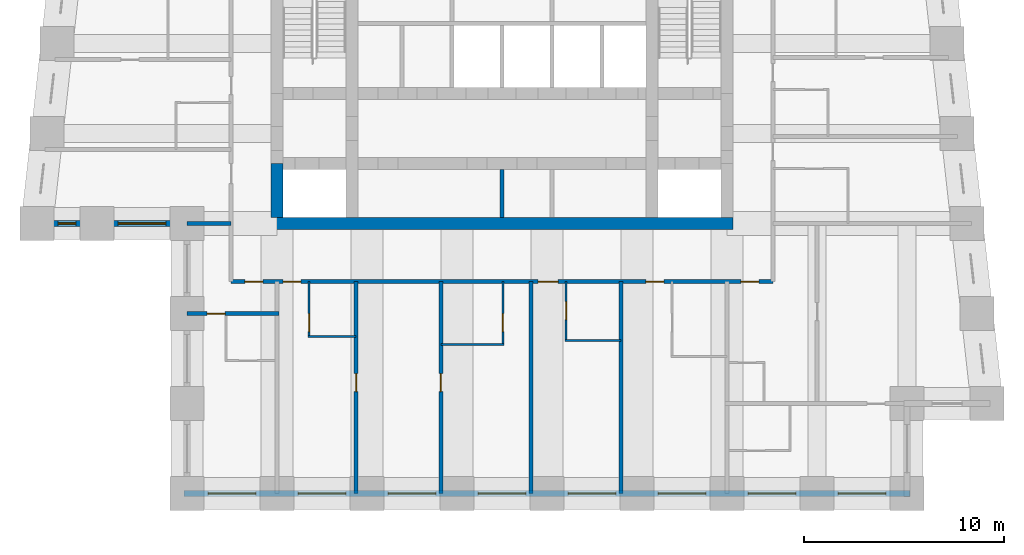
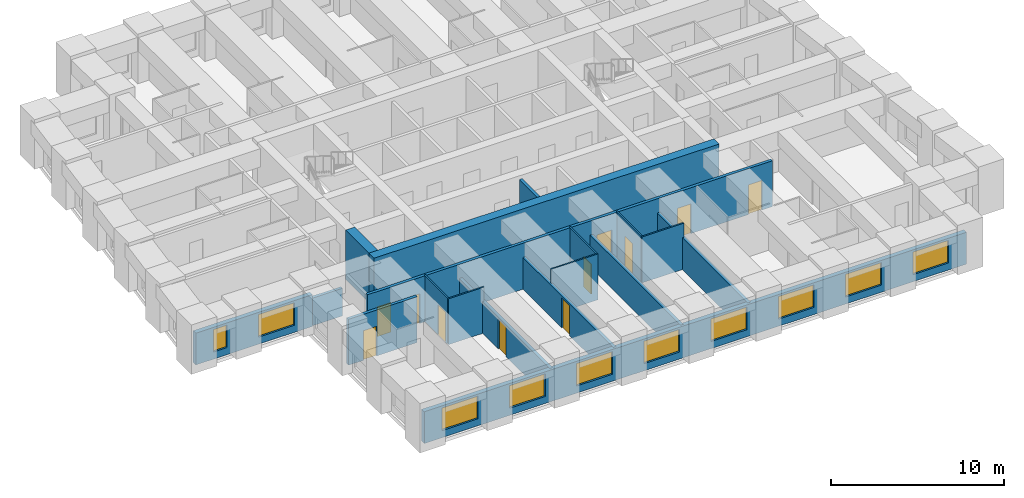
# One storey, part 2 of 8: 18 walls, 11 doors, 10 windows, 21 openings.
"""IFC4 building model written with IfcOpenShell, lengths in metres."""

from ifc_helpers import new_model, si_unit, direction, frame, frame_2d, origin, place, context, subcontext, project, spatial, rectangle, extrude, material, layer, layer_set, type_object, element, fill, save


model = new_model("IFC4")

# Units and contexts
model_context = context("Model", 3, precision=1e-05, world=origin(), true_north=direction((0.0, 1.0)))
body_context = subcontext(model_context, "Body", "Model", "MODEL_VIEW")
ifc_project = project(units=[si_unit("LENGTHUNIT", "METRE"), si_unit("AREAUNIT", "SQUARE_METRE"), si_unit("VOLUMEUNIT", "CUBIC_METRE"), si_unit("PLANEANGLEUNIT", "RADIAN"), si_unit("MASSUNIT", "GRAM", prefix="KILO")], contexts=[model_context])

# Site, building, storey
site_placement = place(None, origin())
site = spatial("IfcSite", under=ifc_project, at=site_placement, CompositionType="ELEMENT")
building_placement = place(site_placement, origin())
building = spatial("IfcBuilding", under=site, at=building_placement, Name="Kilele Tower Hotel", CompositionType="ELEMENT")
storey_placement = place(building_placement, frame((0.0, 0.0, 204.39990234375)))
storey = spatial("IfcBuildingStorey", under=building, at=storey_placement, Name="L53", CompositionType="ELEMENT", Elevation=204.39990234375)

# Wall
ifc_material_1 = material(Name="Moisture-resistant board")
ifc_layer_1 = layer(ifc_material_1, 0.10009765625)
ifc_layer_set_1 = layer_set([ifc_layer_1], Name="Moisture-resistant board")
wall_type_1 = type_object("IfcWallType", Name="Bathroom partition 100", PredefinedType="PLUMBINGWALL", material=ifc_layer_set_1)
wall_1_placement = place(storey_placement, frame((15.050048828125, 7.85009765625, 0.0), z_axis=(0.0, 0.0, 1.0), x_axis=(1.0, 0.0, 0.0)))
element("IfcWall", 1, at=wall_1_placement, inside=storey, type_object=wall_type_1, Name="Bathroom partition 100 L53", PredefinedType="PLUMBINGWALL", context=body_context, shape_type="SweptSolid", body=[
    extrude(rectangle(XDim=2.39990234375, YDim=0.10009765625, at=frame_2d((1.199951171875, 0.0))), origin(), (0.0, 0.0, 1.0), 3.25),
])

# Wall, opening, door
wall_2_placement = place(storey_placement, frame((15.10009765625, 10.60009765625, 0.0), z_axis=(0.0, 0.0, 1.0), x_axis=(0.0, -1.0, 0.0)))
wall_2 = element("IfcWall", 2, at=wall_2_placement, inside=storey, type_object=wall_type_1, Name="Bathroom partition 100 L53", PredefinedType="PLUMBINGWALL", context=body_context, shape_type="SweptSolid", body=[
    extrude(rectangle(XDim=2.800048828125, YDim=0.10009765625, at=frame_2d((1.39990234375, 0.0))), origin(), (0.0, 0.0, 1.0), 3.25),
])
opening_1_placement = place(wall_2_placement, frame((2.5, 0.0, 0.0), z_axis=(0.0, 0.0, 1.0), x_axis=(-1.0, 0.0, 0.0)))
opening_1 = element("IfcOpeningElement", 3, at=opening_1_placement, cuts=wall_2, Name="Opening D2A", PredefinedType="OPENING", context=body_context, shape_type="SweptSolid", body=[
    extrude(rectangle(XDim=0.89990234375, YDim=2.10009765625, at=frame_2d((0.449951171875, 1.050048828125))), frame((0.0, 0.06005859375, 0.0), z_axis=(0.0, -1.0, 0.0), x_axis=(1.0, 0.0, 0.0)), (0.0, 0.0, 1.0), 0.1201171875),
])
ifc_material_2 = material(Name="Timber door leaf in hardwood frame", Category="wood")
door_type_1 = type_object("IfcDoorType", Name="Bathroom door 900", OperationType="SINGLE_SWING_LEFT", PredefinedType="DOOR", material=ifc_material_2)
door_1_placement = place(opening_1_placement, origin())
door_1 = element("IfcDoor", 4, at=door_1_placement, inside=storey, type_object=door_type_1, Name="Bathroom door 5301B", OperationType="SINGLE_SWING_LEFT", OverallHeight=2.10009765625, OverallWidth=0.89990234375, PredefinedType="DOOR", context=body_context, shape_type="SweptSolid", body=[
    extrude(rectangle(XDim=0.89990234375, YDim=2.10009765625, at=frame_2d((0.449951171875, 1.050048828125))), frame((0.0, 0.02490234375, 0.0), z_axis=(0.0, -1.0, 0.0), x_axis=(1.0, 0.0, 0.0)), (0.0, 0.0, 1.0), 0.050048828125),
])
fill(opening_1, door_1)

# Wall
wall_3_placement = place(storey_placement, frame((21.699951171875, 7.449951171875, 0.0), z_axis=(0.0, 0.0, 1.0), x_axis=(1.0, 0.0, 0.0)))
element("IfcWall", 5, at=wall_3_placement, inside=storey, type_object=wall_type_1, Name="Bathroom partition 100 L53", PredefinedType="PLUMBINGWALL", context=body_context, shape_type="SweptSolid", body=[
    extrude(rectangle(XDim=3.150146484375, YDim=0.10009765625, at=frame_2d((1.5751953125, 0.0))), origin(), (0.0, 0.0, 1.0), 3.25),
])

# Wall, opening, door
wall_4_placement = place(storey_placement, frame((24.800048828125, 10.60009765625, 0.0), z_axis=(0.0, 0.0, 1.0), x_axis=(0.0, -1.0, 0.0)))
wall_4 = element("IfcWall", 6, at=wall_4_placement, inside=storey, type_object=wall_type_1, Name="Bathroom partition 100 L53", PredefinedType="PLUMBINGWALL", context=body_context, shape_type="SweptSolid", body=[
    extrude(rectangle(XDim=3.2001953125, YDim=0.10009765625, at=frame_2d((1.60009765625, 0.0))), origin(), (0.0, 0.0, 1.0), 3.25),
])
opening_2_placement = place(wall_4_placement, frame((1.60009765625, 0.0, 0.0)))
opening_2 = element("IfcOpeningElement", 7, at=opening_2_placement, cuts=wall_4, Name="Opening D2A", PredefinedType="OPENING", context=body_context, shape_type="SweptSolid", body=[
    extrude(rectangle(XDim=0.89990234375, YDim=2.10009765625, at=frame_2d((0.449951171875, 1.050048828125))), frame((0.0, 0.06005859375, 0.0), z_axis=(0.0, -1.0, 0.0), x_axis=(1.0, 0.0, 0.0)), (0.0, 0.0, 1.0), 0.1201171875),
])
door_2_placement = place(opening_2_placement, origin())
door_2 = element("IfcDoor", 8, at=door_2_placement, inside=storey, type_object=door_type_1, Name="Bathroom door 5303B", OperationType="SINGLE_SWING_RIGHT", OverallHeight=2.10009765625, OverallWidth=0.89990234375, PredefinedType="DOOR", context=body_context, shape_type="SweptSolid", body=[
    extrude(rectangle(XDim=0.89990234375, YDim=2.10009765625, at=frame_2d((0.449951171875, 1.050048828125))), frame((0.0, 0.02490234375, 0.0), z_axis=(0.0, -1.0, 0.0), x_axis=(1.0, 0.0, 0.0)), (0.0, 0.0, 1.0), 0.050048828125),
])
fill(opening_2, door_2)

# Wall
wall_5_placement = place(storey_placement, frame((27.89990234375, 7.64990234375, 0.0), z_axis=(0.0, 0.0, 1.0), x_axis=(1.0, 0.0, 0.0)))
element("IfcWall", 9, at=wall_5_placement, inside=storey, type_object=wall_type_1, Name="Bathroom partition 100 L53", PredefinedType="PLUMBINGWALL", context=body_context, shape_type="SweptSolid", body=[
    extrude(rectangle(XDim=2.800048828125, YDim=0.10009765625, at=frame_2d((1.39990234375, 0.0))), origin(), (0.0, 0.0, 1.0), 3.25),
])

# Wall, opening, door
wall_6_placement = place(storey_placement, frame((27.949951171875, 10.60009765625, 0.0), z_axis=(0.0, 0.0, 1.0), x_axis=(0.0, -1.0, 0.0)))
wall_6 = element("IfcWall", 10, at=wall_6_placement, inside=storey, type_object=wall_type_1, Name="Bathroom partition 100 L53", PredefinedType="PLUMBINGWALL", context=body_context, shape_type="SweptSolid", body=[
    extrude(rectangle(XDim=3.0, YDim=0.10009765625, at=frame_2d((1.5, 0.0))), origin(), (0.0, 0.0, 1.0), 3.25),
])
opening_3_placement = place(wall_6_placement, frame((1.89990234375, 0.0, 0.0), z_axis=(0.0, 0.0, 1.0), x_axis=(-1.0, 0.0, 0.0)))
opening_3 = element("IfcOpeningElement", 11, at=opening_3_placement, cuts=wall_6, Name="Opening D2A", PredefinedType="OPENING", context=body_context, shape_type="SweptSolid", body=[
    extrude(rectangle(XDim=0.89990234375, YDim=2.10009765625, at=frame_2d((0.449951171875, 1.050048828125))), frame((0.0, 0.06005859375, 0.0), z_axis=(0.0, -1.0, 0.0), x_axis=(1.0, 0.0, 0.0)), (0.0, 0.0, 1.0), 0.1201171875),
])
door_3_placement = place(opening_3_placement, origin())
door_3 = element("IfcDoor", 12, at=door_3_placement, inside=storey, type_object=door_type_1, Name="Bathroom door 5304B", OperationType="SINGLE_SWING_RIGHT", OverallHeight=2.10009765625, OverallWidth=0.89990234375, PredefinedType="DOOR", context=body_context, shape_type="SweptSolid", body=[
    extrude(rectangle(XDim=0.89990234375, YDim=2.10009765625, at=frame_2d((0.449951171875, 1.050048828125))), frame((0.0, 0.02490234375, 0.0), z_axis=(0.0, -1.0, 0.0), x_axis=(1.0, 0.0, 0.0)), (0.0, 0.0, 1.0), 0.050048828125),
])
fill(opening_3, door_3)

# Walls
ifc_material_3 = material(Name="Concrete C70/85", Category="concrete")
ifc_layer_2 = layer(ifc_material_3, 0.60009765625)
ifc_layer_set_2 = layer_set([ifc_layer_2], Name="Concrete C70/85")
wall_type_2 = type_object("IfcWallType", Name="Core wall 600 C70/85", PredefinedType="SHEAR", material=ifc_layer_set_2)
wall_7_placement = place(storey_placement, frame((13.199951171875, 13.5, 0.0), z_axis=(0.0, 0.0, 1.0), x_axis=(1.0, 0.0, 0.0)))
element("IfcWall", 13, at=wall_7_placement, inside=storey, type_object=wall_type_2, Name="Core wall S L53", PredefinedType="SHEAR", context=body_context, shape_type="SweptSolid", body=[
    extrude(rectangle(XDim=23.10009765625, YDim=0.60009765625, at=frame_2d((11.550048828125, 0.0))), origin(), (0.0, 0.0, 1.0), 3.5),
])
wall_8_placement = place(storey_placement, frame((13.5, 16.5, 0.0), z_axis=(0.0, 0.0, 1.0), x_axis=(0.0, -1.0, 0.0)))
element("IfcWall", 14, at=wall_8_placement, inside=storey, type_object=wall_type_2, Name="Core wall W3 L53", PredefinedType="SHEAR", context=body_context, shape_type="SweptSolid", body=[
    extrude(rectangle(XDim=2.699951171875, YDim=0.60009765625, at=frame_2d((1.35009765625, 0.0))), origin(), (0.0, 0.0, 1.0), 3.5),
])

# Wall, openings, doors
ifc_material_4 = material(Name="Blockwork, plastered both sides", Category="masonry")
ifc_layer_3 = layer(ifc_material_4, 0.199951171875)
ifc_layer_set_3 = layer_set([ifc_layer_3], Name="Blockwork, plastered both sides")
wall_type_3 = type_object("IfcWallType", Name="Corridor wall 200", PredefinedType="PARTITIONING", material=ifc_layer_set_3)
wall_9_placement = place(storey_placement, frame((11.199951171875, 10.60009765625, 0.0), z_axis=(0.0, 0.0, 1.0), x_axis=(1.0, 0.0, 0.0)))
wall_9 = element("IfcWall", 15, at=wall_9_placement, inside=storey, type_object=wall_type_3, Name="Corridor wall 200 L53", PredefinedType="PARTITIONING", context=body_context, shape_type="SweptSolid", body=[
    extrude(rectangle(XDim=27.10009765625, YDim=0.199951171875, at=frame_2d((13.550048828125, 0.0))), origin(), (0.0, 0.0, 1.0), 3.25),
])
opening_4_placement = place(wall_9_placement, frame((3.5, 0.0, 0.0), z_axis=(0.0, 0.0, 1.0), x_axis=(-1.0, 0.0, 0.0)))
opening_4 = element("IfcOpeningElement", 16, at=opening_4_placement, cuts=wall_9, Name="Opening D1", PredefinedType="OPENING", context=body_context, shape_type="SweptSolid", body=[
    extrude(rectangle(XDim=0.89990234375, YDim=2.10009765625, at=frame_2d((0.449951171875, 1.050048828125))), frame((0.0, 0.10986328125, 0.0), z_axis=(0.0, -1.0, 0.0), x_axis=(1.0, 0.0, 0.0)), (0.0, 0.0, 1.0), 0.219970703125),
])
opening_5_placement = place(wall_9_placement, frame((16.35009765625, 0.0, 0.0), z_axis=(0.0, 0.0, 1.0), x_axis=(-1.0, 0.0, 0.0)))
opening_5 = element("IfcOpeningElement", 17, at=opening_5_placement, cuts=wall_9, Name="Opening D1A", PredefinedType="OPENING", context=body_context, shape_type="SweptSolid", body=[
    extrude(rectangle(XDim=1.0, YDim=2.10009765625, at=frame_2d((0.5, 1.050048828125))), frame((0.0, 0.10986328125, 0.0), z_axis=(0.0, -1.0, 0.0), x_axis=(1.0, 0.0, 0.0)), (0.0, 0.0, 1.0), 0.219970703125),
])
opening_6_placement = place(wall_9_placement, frame((21.64990234375, 0.0, 0.0), z_axis=(0.0, 0.0, 1.0), x_axis=(-1.0, 0.0, 0.0)))
opening_6 = element("IfcOpeningElement", 18, at=opening_6_placement, cuts=wall_9, Name="Opening D1", PredefinedType="OPENING", context=body_context, shape_type="SweptSolid", body=[
    extrude(rectangle(XDim=0.89990234375, YDim=2.10009765625, at=frame_2d((0.449951171875, 1.050048828125))), frame((0.0, 0.10986328125, 0.0), z_axis=(0.0, -1.0, 0.0), x_axis=(1.0, 0.0, 0.0)), (0.0, 0.0, 1.0), 0.219970703125),
])
opening_7_placement = place(wall_9_placement, frame((1.599853515625, 0.0, 0.0), z_axis=(0.0, 0.0, 1.0), x_axis=(-1.0, 0.0, 0.0)))
opening_7 = element("IfcOpeningElement", 19, at=opening_7_placement, cuts=wall_9, Name="Opening D1", PredefinedType="OPENING", context=body_context, shape_type="SweptSolid", body=[
    extrude(rectangle(XDim=0.89990234375, YDim=2.10009765625, at=frame_2d((0.449951171875, 1.050048828125))), frame((0.0, 0.10986328125, 0.0), z_axis=(0.0, -1.0, 0.0), x_axis=(1.0, 0.0, 0.0)), (0.0, 0.0, 1.0), 0.219970703125),
])
opening_8_placement = place(wall_9_placement, frame((26.39990234375, 0.0, 0.0), z_axis=(0.0, 0.0, 1.0), x_axis=(-1.0, 0.0, 0.0)))
opening_8 = element("IfcOpeningElement", 20, at=opening_8_placement, cuts=wall_9, Name="Opening D1", PredefinedType="OPENING", context=body_context, shape_type="SweptSolid", body=[
    extrude(rectangle(XDim=0.89990234375, YDim=2.10009765625, at=frame_2d((0.449951171875, 1.050048828125))), frame((0.0, 0.10986328125, 0.0), z_axis=(0.0, -1.0, 0.0), x_axis=(1.0, 0.0, 0.0)), (0.0, 0.0, 1.0), 0.219970703125),
])
ifc_material_5 = material(Name="Timber door leaf in hardwood frame", Category="wood")
door_type_2 = type_object("IfcDoorType", Name="Guest room entrance door 1000", OperationType="SINGLE_SWING_LEFT", PredefinedType="DOOR", material=ifc_material_5)
door_4_placement = place(opening_5_placement, origin())
door_4 = element("IfcDoor", 21, at=door_4_placement, inside=storey, type_object=door_type_2, Name="Room entrance 5304", OperationType="SINGLE_SWING_LEFT", OverallHeight=2.10009765625, OverallWidth=1.0, PredefinedType="DOOR", context=body_context, shape_type="SweptSolid", body=[
    extrude(rectangle(XDim=1.0, YDim=2.10009765625, at=frame_2d((0.5, 1.050048828125))), frame((0.0, 0.02490234375, 0.0), z_axis=(0.0, -1.0, 0.0), x_axis=(1.0, 0.0, 0.0)), (0.0, 0.0, 1.0), 0.050048828125),
])
fill(opening_5, door_4)
ifc_material_6 = material(Name="Timber door leaf in hardwood frame", Category="wood")
door_type_3 = type_object("IfcDoorType", Name="Guest room entrance door 900", OperationType="SINGLE_SWING_LEFT", PredefinedType="DOOR", material=ifc_material_6)
door_5_placement = place(opening_4_placement, origin())
door_5 = element("IfcDoor", 22, at=door_5_placement, inside=storey, type_object=door_type_3, Name="Room entrance 5301", OperationType="SINGLE_SWING_RIGHT", OverallHeight=2.10009765625, OverallWidth=0.89990234375, PredefinedType="DOOR", context=body_context, shape_type="SweptSolid", body=[
    extrude(rectangle(XDim=0.89990234375, YDim=2.10009765625, at=frame_2d((0.449951171875, 1.050048828125))), frame((0.0, 0.02490234375, 0.0), z_axis=(0.0, -1.0, 0.0), x_axis=(1.0, 0.0, 0.0)), (0.0, 0.0, 1.0), 0.050048828125),
])
fill(opening_4, door_5)
door_6_placement = place(opening_6_placement, origin())
door_6 = element("IfcDoor", 23, at=door_6_placement, inside=storey, type_object=door_type_3, Name="Room entrance 5305", OperationType="SINGLE_SWING_LEFT", OverallHeight=2.10009765625, OverallWidth=0.89990234375, PredefinedType="DOOR", context=body_context, shape_type="SweptSolid", body=[
    extrude(rectangle(XDim=0.89990234375, YDim=2.10009765625, at=frame_2d((0.449951171875, 1.050048828125))), frame((0.0, 0.02490234375, 0.0), z_axis=(0.0, -1.0, 0.0), x_axis=(1.0, 0.0, 0.0)), (0.0, 0.0, 1.0), 0.050048828125),
])
fill(opening_6, door_6)
door_7_placement = place(opening_7_placement, origin())
door_7 = element("IfcDoor", 24, at=door_7_placement, inside=storey, type_object=door_type_3, Name="Room entrance 5317", OperationType="SINGLE_SWING_LEFT", OverallHeight=2.10009765625, OverallWidth=0.89990234375, PredefinedType="DOOR", context=body_context, shape_type="SweptSolid", body=[
    extrude(rectangle(XDim=0.89990234375, YDim=2.10009765625, at=frame_2d((0.449951171875, 1.050048828125))), frame((0.0, 0.02490234375, 0.0), z_axis=(0.0, -1.0, 0.0), x_axis=(1.0, 0.0, 0.0)), (0.0, 0.0, 1.0), 0.050048828125),
])
fill(opening_7, door_7)
door_8_placement = place(opening_8_placement, origin())
door_8 = element("IfcDoor", 25, at=door_8_placement, inside=storey, type_object=door_type_3, Name="Room entrance 5319", OperationType="SINGLE_SWING_RIGHT", OverallHeight=2.10009765625, OverallWidth=0.89990234375, PredefinedType="DOOR", context=body_context, shape_type="SweptSolid", body=[
    extrude(rectangle(XDim=0.89990234375, YDim=2.10009765625, at=frame_2d((0.449951171875, 1.050048828125))), frame((0.0, 0.02490234375, 0.0), z_axis=(0.0, -1.0, 0.0), x_axis=(1.0, 0.0, 0.0)), (0.0, 0.0, 1.0), 0.050048828125),
])
fill(opening_8, door_8)

# Wall, opening, door
ifc_material_7 = material(Name="Blockwork, plastered both sides", Category="masonry")
ifc_layer_4 = layer(ifc_material_7, 0.199951171875)
ifc_layer_set_4 = layer_set([ifc_layer_4], Name="Blockwork, plastered both sides")
wall_type_4 = type_object("IfcWallType", Name="Party wall 200", PredefinedType="PARTITIONING", material=ifc_layer_set_4)
wall_10_placement = place(storey_placement, frame((17.449951171875, 10.60009765625, 0.0), z_axis=(0.0, 0.0, 1.0), x_axis=(0.0, -1.0, 0.0)))
wall_10 = element("IfcWall", 26, at=wall_10_placement, inside=storey, type_object=wall_type_4, Name="Party wall 200 L53", PredefinedType="PARTITIONING", context=body_context, shape_type="SweptSolid", body=[
    extrude(rectangle(XDim=10.60009765625, YDim=0.199951171875, at=frame_2d((5.300048828125, 0.0))), origin(), (0.0, 0.0, 1.0), 2.25),
])
opening_9_placement = place(wall_10_placement, frame((5.5, 0.0, 0.0), z_axis=(0.0, 0.0, 1.0), x_axis=(-1.0, 0.0, 0.0)))
opening_9 = element("IfcOpeningElement", 27, at=opening_9_placement, cuts=wall_10, Name="Opening D3", PredefinedType="OPENING", context=body_context, shape_type="SweptSolid", body=[
    extrude(rectangle(XDim=0.89990234375, YDim=2.10009765625, at=frame_2d((0.449951171875, 1.050048828125))), frame((0.0, 0.10986328125, 0.0), z_axis=(0.0, -1.0, 0.0), x_axis=(1.0, 0.0, 0.0)), (0.0, 0.0, 1.0), 0.219970703125),
])
ifc_material_8 = material(Name="Timber door leaf in hardwood frame", Category="wood")
door_type_4 = type_object("IfcDoorType", Name="Suite internal door 900", OperationType="SINGLE_SWING_LEFT", PredefinedType="DOOR", material=ifc_material_8)
door_9_placement = place(opening_9_placement, origin())
door_9 = element("IfcDoor", 28, at=door_9_placement, inside=storey, type_object=door_type_4, Name="Suite door 5302", OperationType="SINGLE_SWING_RIGHT", OverallHeight=2.10009765625, OverallWidth=0.89990234375, PredefinedType="DOOR", context=body_context, shape_type="SweptSolid", body=[
    extrude(rectangle(XDim=0.89990234375, YDim=2.10009765625, at=frame_2d((0.449951171875, 1.050048828125))), frame((0.0, 0.02490234375, 0.0), z_axis=(0.0, -1.0, 0.0), x_axis=(1.0, 0.0, 0.0)), (0.0, 0.0, 1.0), 0.050048828125),
])
fill(opening_9, door_9)

wall_11_placement = place(storey_placement, frame((21.699951171875, 10.60009765625, 0.0), z_axis=(0.0, 0.0, 1.0), x_axis=(0.0, -1.0, 0.0)))
wall_11 = element("IfcWall", 29, at=wall_11_placement, inside=storey, type_object=wall_type_4, Name="Party wall 200 L53", PredefinedType="PARTITIONING", context=body_context, shape_type="SweptSolid", body=[
    extrude(rectangle(XDim=10.60009765625, YDim=0.199951171875, at=frame_2d((5.300048828125, 0.0))), origin(), (0.0, 0.0, 1.0), 2.25),
])
opening_10_placement = place(wall_11_placement, frame((4.60009765625, 0.0, 0.0)))
opening_10 = element("IfcOpeningElement", 30, at=opening_10_placement, cuts=wall_11, Name="Opening D3", PredefinedType="OPENING", context=body_context, shape_type="SweptSolid", body=[
    extrude(rectangle(XDim=0.89990234375, YDim=2.10009765625, at=frame_2d((0.449951171875, 1.050048828125))), frame((0.0, 0.10986328125, 0.0), z_axis=(0.0, -1.0, 0.0), x_axis=(1.0, 0.0, 0.0)), (0.0, 0.0, 1.0), 0.219970703125),
])
door_10_placement = place(opening_10_placement, origin())
door_10 = element("IfcDoor", 31, at=door_10_placement, inside=storey, type_object=door_type_4, Name="Suite door 5303", OperationType="SINGLE_SWING_LEFT", OverallHeight=2.10009765625, OverallWidth=0.89990234375, PredefinedType="DOOR", context=body_context, shape_type="SweptSolid", body=[
    extrude(rectangle(XDim=0.89990234375, YDim=2.10009765625, at=frame_2d((0.449951171875, 1.050048828125))), frame((0.0, 0.02490234375, 0.0), z_axis=(0.0, -1.0, 0.0), x_axis=(1.0, 0.0, 0.0)), (0.0, 0.0, 1.0), 0.050048828125),
])
fill(opening_10, door_10)

# Walls
for number, where, z_axis, x_axis, name in (
    (32, (26.199951171875, 10.60009765625, 0.0), (0.0, 0.0, 1.0), (0.0, -1.0, 0.0), "Party wall 200 L53"),
    (33, (30.699951171875, 10.60009765625, 0.0), (0.0, 0.0, 1.0), (0.0, -1.0, 0.0), "Party wall 200 L53"),
):
    element("IfcWall", number, at=place(storey_placement, frame(where, z_axis=z_axis, x_axis=x_axis)), inside=storey, type_object=wall_type_4, Name=name, PredefinedType="PARTITIONING", context=body_context, shape_type="SweptSolid", body=[
        extrude(rectangle(XDim=10.60009765625, YDim=0.199951171875, at=frame_2d((5.300048828125, 0.0))), origin(), (0.0, 0.0, 1.0), 2.25),
    ])
wall_12_placement = place(storey_placement, frame((11.199951171875, 13.5, 0.0), z_axis=(0.0, 0.0, 1.0), x_axis=(-1.0, 0.0, 0.0)))
element("IfcWall", 34, at=wall_12_placement, inside=storey, type_object=wall_type_4, Name="Party wall 200 L53", PredefinedType="PARTITIONING", context=body_context, shape_type="SweptSolid", body=[
    extrude(rectangle(XDim=2.199951171875, YDim=0.199951171875, at=frame_2d((1.10009765625, 0.0))), origin(), (0.0, 0.0, 1.0), 1.9501953125),
])

# Wall, opening, door
wall_13_placement = place(storey_placement, frame((13.60009765625, 9.0, 0.0), z_axis=(0.0, 0.0, 1.0), x_axis=(-1.0, 0.0, 0.0)))
wall_13 = element("IfcWall", 35, at=wall_13_placement, inside=storey, type_object=wall_type_4, Name="Party wall 200 L53", PredefinedType="PARTITIONING", context=body_context, shape_type="SweptSolid", body=[
    extrude(rectangle(XDim=4.60009765625, YDim=0.199951171875, at=frame_2d((2.300048828125, 0.0))), origin(), (0.0, 0.0, 1.0), 3.25),
])
opening_11_placement = place(wall_13_placement, frame((2.699951171875, 0.0, 0.0)))
opening_11 = element("IfcOpeningElement", 36, at=opening_11_placement, cuts=wall_13, Name="Opening D3", PredefinedType="OPENING", context=body_context, shape_type="SweptSolid", body=[
    extrude(rectangle(XDim=0.89990234375, YDim=2.10009765625, at=frame_2d((0.449951171875, 1.050048828125))), frame((0.0, 0.10986328125, 0.0), z_axis=(0.0, -1.0, 0.0), x_axis=(1.0, 0.0, 0.0)), (0.0, 0.0, 1.0), 0.219970703125),
])
door_11_placement = place(opening_11_placement, origin())
door_11 = element("IfcDoor", 37, at=door_11_placement, inside=storey, type_object=door_type_4, Name="Suite door 5318", OperationType="SINGLE_SWING_LEFT", OverallHeight=2.10009765625, OverallWidth=0.89990234375, PredefinedType="DOOR", context=body_context, shape_type="SweptSolid", body=[
    extrude(rectangle(XDim=0.89990234375, YDim=2.10009765625, at=frame_2d((0.449951171875, 1.050048828125))), frame((0.0, 0.02490234375, 0.0), z_axis=(0.0, -1.0, 0.0), x_axis=(1.0, 0.0, 0.0)), (0.0, 0.0, 1.0), 0.050048828125),
])
fill(opening_11, door_11)

# Wall, openings, windows
ifc_material_9 = material(Name="Concrete C40/50 precast", Category="concrete")
ifc_layer_5 = layer(ifc_material_9, 0.260009765625, Name="Precast backing", Category="LoadBearing")
ifc_material_10 = material(Name="Reconstituted stone finish", Category="masonry")
ifc_layer_6 = layer(ifc_material_10, 0.0400390625, Name="Face mix", Category="Finish")
ifc_layer_set_5 = layer_set([ifc_layer_5, ifc_layer_6], Name="Precast concrete C40/50, reconstituted stone finish")
wall_type_5 = type_object("IfcWallType", Name="Precast stone facade wall 300", PredefinedType="STANDARD", material=ifc_layer_set_5)
wall_14_placement = place(storey_placement, frame((1.35009765625, 13.5, 0.0), z_axis=(0.0, 0.0, 1.0), x_axis=(1.0, 0.0, 0.0)))
wall_14 = element("IfcWall", 38, at=wall_14_placement, inside=storey, type_object=wall_type_5, Name="Facade wall L53 edge 1", PredefinedType="STANDARD", context=body_context, shape_type="SweptSolid", body=[
    extrude(rectangle(XDim=7.7998046875, YDim=0.300048828125, at=frame_2d((3.89990234375, 0.0))), origin(), (0.0, 0.0, 1.0), 2.25),
])
opening_12_placement = place(wall_14_placement, frame((1.199951171875, 0.0, 0.5)))
opening_12 = element("IfcOpeningElement", 39, at=opening_12_placement, cuts=wall_14, Name="Opening W3", PredefinedType="OPENING", context=body_context, shape_type="SweptSolid", body=[
    extrude(rectangle(XDim=0.89990234375, YDim=1.60009765625, at=frame_2d((0.449951171875, 0.800048828125))), frame((0.0, 0.159912109375, 0.0), z_axis=(0.0, -1.0, 0.0), x_axis=(1.0, 0.0, 0.0)), (0.0, 0.0, 1.0), 0.320068359375),
])
opening_13_placement = place(wall_14_placement, frame((4.199951171875, 0.0, 0.5)))
opening_13 = element("IfcOpeningElement", 40, at=opening_13_placement, cuts=wall_14, Name="Opening W3", PredefinedType="OPENING", context=body_context, shape_type="SweptSolid", body=[
    extrude(rectangle(XDim=2.39990234375, YDim=1.60009765625, at=frame_2d((1.199951171875, 0.800048828125))), frame((0.0, 0.159912109375, 0.0), z_axis=(0.0, -1.0, 0.0), x_axis=(1.0, 0.0, 0.0)), (0.0, 0.0, 1.0), 0.320068359375),
])
ifc_material_11 = material(Name="Aluminium frame, clear double glazing", Category="aluminium")
window_type_1 = type_object("IfcWindowType", Name="Window W3 2400 x 1600", PartitioningType="SINGLE_PANEL", PredefinedType="WINDOW", material=ifc_material_11)
window_1_placement = place(opening_13_placement, origin())
window_1 = element("IfcWindow", 41, at=window_1_placement, inside=storey, type_object=window_type_1, Name="Window L53", OverallHeight=1.60009765625, OverallWidth=2.39990234375, PartitioningType="SINGLE_PANEL", PredefinedType="WINDOW", context=body_context, shape_type="SweptSolid", body=[
    extrude(rectangle(XDim=2.39990234375, YDim=1.60009765625, at=frame_2d((1.199951171875, 0.800048828125))), frame((0.0, 0.030029296875, 0.0), z_axis=(0.0, -1.0, 0.0), x_axis=(1.0, 0.0, 0.0)), (0.0, 0.0, 1.0), 0.06005859375),
])
fill(opening_13, window_1)
ifc_material_12 = material(Name="Aluminium frame, clear double glazing", Category="aluminium")
window_type_2 = type_object("IfcWindowType", Name="Window W3 900 x 1600", PartitioningType="SINGLE_PANEL", PredefinedType="WINDOW", material=ifc_material_12)
window_2_placement = place(opening_12_placement, origin())
window_2 = element("IfcWindow", 42, at=window_2_placement, inside=storey, type_object=window_type_2, Name="Window L53", OverallHeight=1.60009765625, OverallWidth=0.89990234375, PartitioningType="SINGLE_PANEL", PredefinedType="WINDOW", context=body_context, shape_type="SweptSolid", body=[
    extrude(rectangle(XDim=0.89990234375, YDim=1.60009765625, at=frame_2d((0.449951171875, 0.800048828125))), frame((0.0, 0.030029296875, 0.0), z_axis=(0.0, -1.0, 0.0), x_axis=(1.0, 0.0, 0.0)), (0.0, 0.0, 1.0), 0.06005859375),
])
fill(opening_12, window_2)

wall_15_placement = place(storey_placement, frame((8.85009765625, 0.0, 0.0), z_axis=(0.0, 0.0, 1.0), x_axis=(1.0, 0.0, 0.0)))
wall_15 = element("IfcWall", 43, at=wall_15_placement, inside=storey, type_object=wall_type_5, Name="Facade wall L53 edge 3", PredefinedType="STANDARD", context=body_context, shape_type="SweptSolid", body=[
    extrude(rectangle(XDim=36.2998046875, YDim=0.300048828125, at=frame_2d((18.14990234375, 0.0))), origin(), (0.0, 0.0, 1.0), 2.25),
])
opening_14_placement = place(wall_15_placement, frame((1.199951171875, 0.0, 0.5)))
opening_14 = element("IfcOpeningElement", 44, at=opening_14_placement, cuts=wall_15, Name="Opening W3", PredefinedType="OPENING", context=body_context, shape_type="SweptSolid", body=[
    extrude(rectangle(XDim=2.39990234375, YDim=1.60009765625, at=frame_2d((1.199951171875, 0.800048828125))), frame((0.0, 0.159912109375, 0.0), z_axis=(0.0, -1.0, 0.0), x_axis=(1.0, 0.0, 0.0)), (0.0, 0.0, 1.0), 0.320068359375),
])
opening_15_placement = place(wall_15_placement, frame((5.699951171875, 0.0, 0.5)))
opening_15 = element("IfcOpeningElement", 45, at=opening_15_placement, cuts=wall_15, Name="Opening W3", PredefinedType="OPENING", context=body_context, shape_type="SweptSolid", body=[
    extrude(rectangle(XDim=2.39990234375, YDim=1.60009765625, at=frame_2d((1.199951171875, 0.800048828125))), frame((0.0, 0.159912109375, 0.0), z_axis=(0.0, -1.0, 0.0), x_axis=(1.0, 0.0, 0.0)), (0.0, 0.0, 1.0), 0.320068359375),
])
opening_16_placement = place(wall_15_placement, frame((10.199951171875, 0.0, 0.5)))
opening_16 = element("IfcOpeningElement", 46, at=opening_16_placement, cuts=wall_15, Name="Opening W3", PredefinedType="OPENING", context=body_context, shape_type="SweptSolid", body=[
    extrude(rectangle(XDim=2.39990234375, YDim=1.60009765625, at=frame_2d((1.199951171875, 0.800048828125))), frame((0.0, 0.159912109375, 0.0), z_axis=(0.0, -1.0, 0.0), x_axis=(1.0, 0.0, 0.0)), (0.0, 0.0, 1.0), 0.320068359375),
])
opening_17_placement = place(wall_15_placement, frame((14.699951171875, 0.0, 0.5)))
opening_17 = element("IfcOpeningElement", 47, at=opening_17_placement, cuts=wall_15, Name="Opening W3", PredefinedType="OPENING", context=body_context, shape_type="SweptSolid", body=[
    extrude(rectangle(XDim=2.39990234375, YDim=1.60009765625, at=frame_2d((1.199951171875, 0.800048828125))), frame((0.0, 0.159912109375, 0.0), z_axis=(0.0, -1.0, 0.0), x_axis=(1.0, 0.0, 0.0)), (0.0, 0.0, 1.0), 0.320068359375),
])
opening_18_placement = place(wall_15_placement, frame((19.199951171875, 0.0, 0.5)))
opening_18 = element("IfcOpeningElement", 48, at=opening_18_placement, cuts=wall_15, Name="Opening W3", PredefinedType="OPENING", context=body_context, shape_type="SweptSolid", body=[
    extrude(rectangle(XDim=2.39990234375, YDim=1.60009765625, at=frame_2d((1.199951171875, 0.800048828125))), frame((0.0, 0.159912109375, 0.0), z_axis=(0.0, -1.0, 0.0), x_axis=(1.0, 0.0, 0.0)), (0.0, 0.0, 1.0), 0.320068359375),
])
opening_19_placement = place(wall_15_placement, frame((23.699951171875, 0.0, 0.5)))
opening_19 = element("IfcOpeningElement", 49, at=opening_19_placement, cuts=wall_15, Name="Opening W3", PredefinedType="OPENING", context=body_context, shape_type="SweptSolid", body=[
    extrude(rectangle(XDim=2.39990234375, YDim=1.60009765625, at=frame_2d((1.199951171875, 0.800048828125))), frame((0.0, 0.159912109375, 0.0), z_axis=(0.0, -1.0, 0.0), x_axis=(1.0, 0.0, 0.0)), (0.0, 0.0, 1.0), 0.320068359375),
])
opening_20_placement = place(wall_15_placement, frame((28.199951171875, 0.0, 0.5)))
opening_20 = element("IfcOpeningElement", 50, at=opening_20_placement, cuts=wall_15, Name="Opening W3", PredefinedType="OPENING", context=body_context, shape_type="SweptSolid", body=[
    extrude(rectangle(XDim=2.39990234375, YDim=1.60009765625, at=frame_2d((1.199951171875, 0.800048828125))), frame((0.0, 0.159912109375, 0.0), z_axis=(0.0, -1.0, 0.0), x_axis=(1.0, 0.0, 0.0)), (0.0, 0.0, 1.0), 0.320068359375),
])
opening_21_placement = place(wall_15_placement, frame((32.699951171875, 0.0, 0.5)))
opening_21 = element("IfcOpeningElement", 51, at=opening_21_placement, cuts=wall_15, Name="Opening W3", PredefinedType="OPENING", context=body_context, shape_type="SweptSolid", body=[
    extrude(rectangle(XDim=2.39990234375, YDim=1.60009765625, at=frame_2d((1.199951171875, 0.800048828125))), frame((0.0, 0.159912109375, 0.0), z_axis=(0.0, -1.0, 0.0), x_axis=(1.0, 0.0, 0.0)), (0.0, 0.0, 1.0), 0.320068359375),
])
window_3_placement = place(opening_14_placement, origin())
window_3 = element("IfcWindow", 52, at=window_3_placement, inside=storey, type_object=window_type_1, Name="Window L53", OverallHeight=1.60009765625, OverallWidth=2.39990234375, PartitioningType="SINGLE_PANEL", PredefinedType="WINDOW", context=body_context, shape_type="SweptSolid", body=[
    extrude(rectangle(XDim=2.39990234375, YDim=1.60009765625, at=frame_2d((1.199951171875, 0.800048828125))), frame((0.0, 0.030029296875, 0.0), z_axis=(0.0, -1.0, 0.0), x_axis=(1.0, 0.0, 0.0)), (0.0, 0.0, 1.0), 0.06005859375),
])
fill(opening_14, window_3)
window_4_placement = place(opening_15_placement, origin())
window_4 = element("IfcWindow", 53, at=window_4_placement, inside=storey, type_object=window_type_1, Name="Window L53", OverallHeight=1.60009765625, OverallWidth=2.39990234375, PartitioningType="SINGLE_PANEL", PredefinedType="WINDOW", context=body_context, shape_type="SweptSolid", body=[
    extrude(rectangle(XDim=2.39990234375, YDim=1.60009765625, at=frame_2d((1.199951171875, 0.800048828125))), frame((0.0, 0.030029296875, 0.0), z_axis=(0.0, -1.0, 0.0), x_axis=(1.0, 0.0, 0.0)), (0.0, 0.0, 1.0), 0.06005859375),
])
fill(opening_15, window_4)
window_5_placement = place(opening_16_placement, origin())
window_5 = element("IfcWindow", 54, at=window_5_placement, inside=storey, type_object=window_type_1, Name="Window L53", OverallHeight=1.60009765625, OverallWidth=2.39990234375, PartitioningType="SINGLE_PANEL", PredefinedType="WINDOW", context=body_context, shape_type="SweptSolid", body=[
    extrude(rectangle(XDim=2.39990234375, YDim=1.60009765625, at=frame_2d((1.199951171875, 0.800048828125))), frame((0.0, 0.030029296875, 0.0), z_axis=(0.0, -1.0, 0.0), x_axis=(1.0, 0.0, 0.0)), (0.0, 0.0, 1.0), 0.06005859375),
])
fill(opening_16, window_5)
window_6_placement = place(opening_17_placement, origin())
window_6 = element("IfcWindow", 55, at=window_6_placement, inside=storey, type_object=window_type_1, Name="Window L53", OverallHeight=1.60009765625, OverallWidth=2.39990234375, PartitioningType="SINGLE_PANEL", PredefinedType="WINDOW", context=body_context, shape_type="SweptSolid", body=[
    extrude(rectangle(XDim=2.39990234375, YDim=1.60009765625, at=frame_2d((1.199951171875, 0.800048828125))), frame((0.0, 0.030029296875, 0.0), z_axis=(0.0, -1.0, 0.0), x_axis=(1.0, 0.0, 0.0)), (0.0, 0.0, 1.0), 0.06005859375),
])
fill(opening_17, window_6)
window_7_placement = place(opening_18_placement, origin())
window_7 = element("IfcWindow", 56, at=window_7_placement, inside=storey, type_object=window_type_1, Name="Window L53", OverallHeight=1.60009765625, OverallWidth=2.39990234375, PartitioningType="SINGLE_PANEL", PredefinedType="WINDOW", context=body_context, shape_type="SweptSolid", body=[
    extrude(rectangle(XDim=2.39990234375, YDim=1.60009765625, at=frame_2d((1.199951171875, 0.800048828125))), frame((0.0, 0.030029296875, 0.0), z_axis=(0.0, -1.0, 0.0), x_axis=(1.0, 0.0, 0.0)), (0.0, 0.0, 1.0), 0.06005859375),
])
fill(opening_18, window_7)
window_8_placement = place(opening_19_placement, origin())
window_8 = element("IfcWindow", 57, at=window_8_placement, inside=storey, type_object=window_type_1, Name="Window L53", OverallHeight=1.60009765625, OverallWidth=2.39990234375, PartitioningType="SINGLE_PANEL", PredefinedType="WINDOW", context=body_context, shape_type="SweptSolid", body=[
    extrude(rectangle(XDim=2.39990234375, YDim=1.60009765625, at=frame_2d((1.199951171875, 0.800048828125))), frame((0.0, 0.030029296875, 0.0), z_axis=(0.0, -1.0, 0.0), x_axis=(1.0, 0.0, 0.0)), (0.0, 0.0, 1.0), 0.06005859375),
])
fill(opening_19, window_8)
window_9_placement = place(opening_20_placement, origin())
window_9 = element("IfcWindow", 58, at=window_9_placement, inside=storey, type_object=window_type_1, Name="Window L53", OverallHeight=1.60009765625, OverallWidth=2.39990234375, PartitioningType="SINGLE_PANEL", PredefinedType="WINDOW", context=body_context, shape_type="SweptSolid", body=[
    extrude(rectangle(XDim=2.39990234375, YDim=1.60009765625, at=frame_2d((1.199951171875, 0.800048828125))), frame((0.0, 0.030029296875, 0.0), z_axis=(0.0, -1.0, 0.0), x_axis=(1.0, 0.0, 0.0)), (0.0, 0.0, 1.0), 0.06005859375),
])
fill(opening_20, window_9)
window_10_placement = place(opening_21_placement, origin())
window_10 = element("IfcWindow", 59, at=window_10_placement, inside=storey, type_object=window_type_1, Name="Window L53", OverallHeight=1.60009765625, OverallWidth=2.39990234375, PartitioningType="SINGLE_PANEL", PredefinedType="WINDOW", context=body_context, shape_type="SweptSolid", body=[
    extrude(rectangle(XDim=2.39990234375, YDim=1.60009765625, at=frame_2d((1.199951171875, 0.800048828125))), frame((0.0, 0.030029296875, 0.0), z_axis=(0.0, -1.0, 0.0), x_axis=(1.0, 0.0, 0.0)), (0.0, 0.0, 1.0), 0.06005859375),
])
fill(opening_21, window_10)

# Wall
ifc_material_13 = material(Name="Blockwork, fire-rated", Category="masonry")
ifc_layer_7 = layer(ifc_material_13, 0.199951171875)
ifc_layer_set_6 = layer_set([ifc_layer_7], Name="Blockwork, fire-rated")
wall_type_6 = type_object("IfcWallType", Name="Shaft wall 200", PredefinedType="PARTITIONING", material=ifc_layer_set_6)
wall_16_placement = place(storey_placement, frame((24.75, 13.800048828125, 0.0), z_axis=(0.0, 0.0, 1.0), x_axis=(0.0, 1.0, 0.0)))
element("IfcWall", 60, at=wall_16_placement, inside=storey, type_object=wall_type_6, Name="Shaft wall 200 L53", PredefinedType="PARTITIONING", context=body_context, shape_type="SweptSolid", body=[
    extrude(rectangle(XDim=2.39990234375, YDim=0.199951171875, at=frame_2d((1.199951171875, 0.0))), origin(), (0.0, 0.0, 1.0), 3.25),
])

save(model, "model.ifc")
